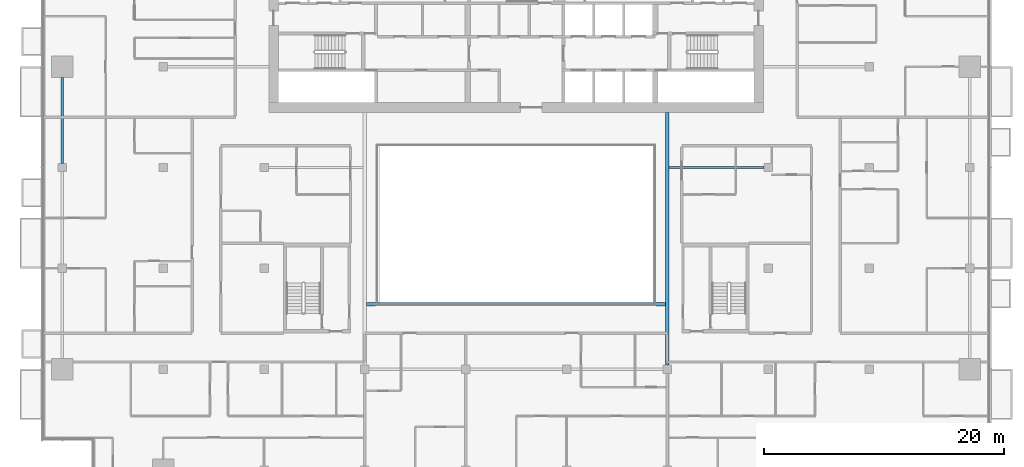
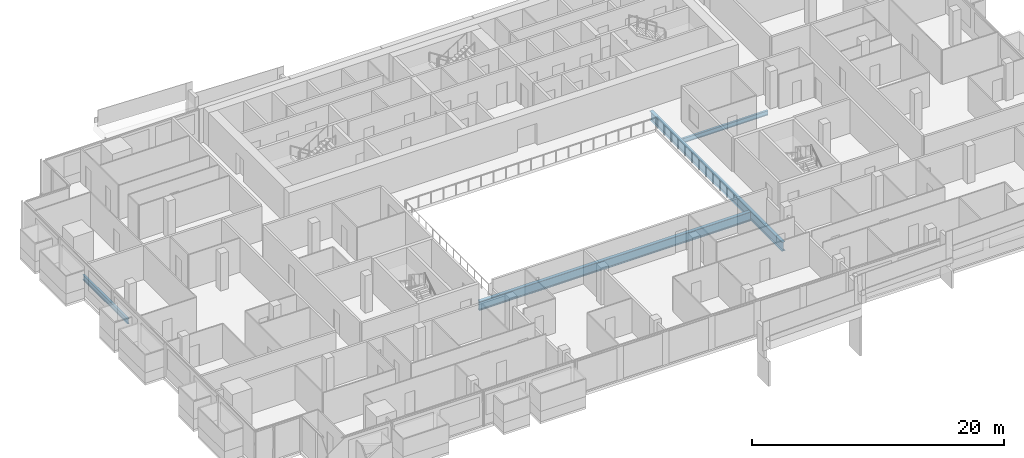
# One storey, part 7 of 28: 4 beams.
"""IFC4 building model written with IfcOpenShell, lengths in metres."""

from ifc_helpers import new_model, si_unit, direction, frame, origin, origin_2d, place, context, subcontext, project, spatial, i_section, extrude, material, material_profile, profile_set, type_object, element, save


model = new_model("IFC4")

# Units and contexts
model_context = context("Model", 3, precision=1e-05, world=origin(), true_north=direction((0.0, 1.0)))
body_context = subcontext(model_context, "Body", "Model", "MODEL_VIEW")
ifc_project = project(units=[si_unit("LENGTHUNIT", "METRE"), si_unit("AREAUNIT", "SQUARE_METRE"), si_unit("VOLUMEUNIT", "CUBIC_METRE"), si_unit("PLANEANGLEUNIT", "RADIAN"), si_unit("MASSUNIT", "GRAM", prefix="KILO")], contexts=[model_context])

# Site, building, storey
site_placement = place(None, origin())
site = spatial("IfcSite", under=ifc_project, at=site_placement, CompositionType="ELEMENT")
building_placement = place(site_placement, origin())
building = spatial("IfcBuilding", under=site, at=building_placement, Name="Saffron Gate Tower", CompositionType="ELEMENT")
storey_placement = place(building_placement, frame((0.0, 0.0, 154.64990234375)))
storey = spatial("IfcBuildingStorey", under=building, at=storey_placement, Name="L37", CompositionType="ELEMENT", Elevation=154.64990234375)

# Beams
ifc_material = material(Name="Structural steel S355", Category="steel")
ifc_material_profile_1 = material_profile(ifc_material, i_section(OverallWidth=0.199951171875, OverallDepth=0.5, WebThickness=0.01025390625, FlangeThickness=0.01611328125, FilletRadius=0.02099609375, at=origin_2d()))
ifc_profile_set_1 = profile_set([ifc_material_profile_1], Name="Structural steel S355")
beam_type_1 = type_object("IfcBeamType", Name="B11 IPE 500", PredefinedType="SPANDREL", material=ifc_profile_set_1)
beam_1_placement = place(storey_placement, frame((49.800048828125, 57.35009765625, -0.52978515625), z_axis=(0.0, 1.0, 0.0), x_axis=(-1.0, 0.0, 0.0)))
element("IfcBeam", 1, at=beam_1_placement, inside=storey, type_object=beam_type_1, Name="B11 SPANDREL BEAM", PredefinedType="SPANDREL", context=body_context, shape_type="SweptSolid", body=[
    extrude(i_section(OverallWidth=0.199951171875, OverallDepth=0.5, WebThickness=0.01025390625, FlangeThickness=0.01611328125, FilletRadius=0.02099609375, at=origin_2d()), origin(), (0.0, 0.0, 1.0), 7.14990234375),
])
ifc_material_profile_2 = material_profile(ifc_material, i_section(OverallWidth=0.300048828125, OverallDepth=0.889892578125, WebThickness=0.01611328125, FlangeThickness=0.030029296875, FilletRadius=0.030029296875, at=origin_2d()))
ifc_profile_set_2 = profile_set([ifc_material_profile_2], Name="Structural steel S355")
beam_type_2 = type_object("IfcBeamType", Name="B19 HEA 900", PredefinedType="BEAM", material=ifc_profile_set_2)
beam_2_placement = place(storey_placement, frame((100.199951171875, 40.550048828125, -0.724853515625), z_axis=(0.0, 1.0, 0.0), x_axis=(-1.0, 0.0, 0.0)))
element("IfcBeam", 2, at=beam_2_placement, inside=storey, type_object=beam_type_2, Name="B19 ATRIUM GIRDER", PredefinedType="BEAM", context=body_context, shape_type="SweptSolid", body=[
    extrude(i_section(OverallWidth=0.300048828125, OverallDepth=0.889892578125, WebThickness=0.01611328125, FlangeThickness=0.030029296875, FilletRadius=0.030029296875, at=origin_2d()), origin(), (0.0, 0.0, 1.0), 21.050048828125),
])
beam_3_placement = place(storey_placement, frame((75.14990234375, 45.60009765625, -0.724853515625), z_axis=(1.0, 0.0, 0.0), x_axis=(0.0, 1.0, 0.0)))
element("IfcBeam", 3, at=beam_3_placement, inside=storey, type_object=beam_type_2, Name="B19 ATRIUM GIRDER", PredefinedType="BEAM", context=body_context, shape_type="SweptSolid", body=[
    extrude(i_section(OverallWidth=0.300048828125, OverallDepth=0.889892578125, WebThickness=0.01611328125, FlangeThickness=0.030029296875, FilletRadius=0.030029296875, at=origin_2d()), origin(), (0.0, 0.0, 1.0), 24.900146484375),
])
ifc_material_profile_3 = material_profile(ifc_material, i_section(OverallWidth=0.18994140625, OverallDepth=0.449951171875, WebThickness=0.009521484375, FlangeThickness=0.0146484375, FilletRadius=0.02099609375, at=origin_2d()))
ifc_profile_set_3 = profile_set([ifc_material_profile_3], Name="Structural steel S355")
beam_type_3 = type_object("IfcBeamType", Name="B6 IPE 450", PredefinedType="BEAM", material=ifc_profile_set_3)
beam_4_placement = place(storey_placement, frame((108.25, 57.0, -0.5048828125), z_axis=(-1.0, 0.0, 0.0), x_axis=(0.0, -1.0, 0.0)))
element("IfcBeam", 4, at=beam_4_placement, inside=storey, type_object=beam_type_3, Name="B6 CORE TIE BEAM", PredefinedType="BEAM", context=body_context, shape_type="SweptSolid", body=[
    extrude(i_section(OverallWidth=0.18994140625, OverallDepth=0.449951171875, WebThickness=0.009521484375, FlangeThickness=0.0146484375, FilletRadius=0.02099609375, at=origin_2d()), origin(), (0.0, 0.0, 1.0), 7.89990234375),
])

save(model, "model.ifc")
